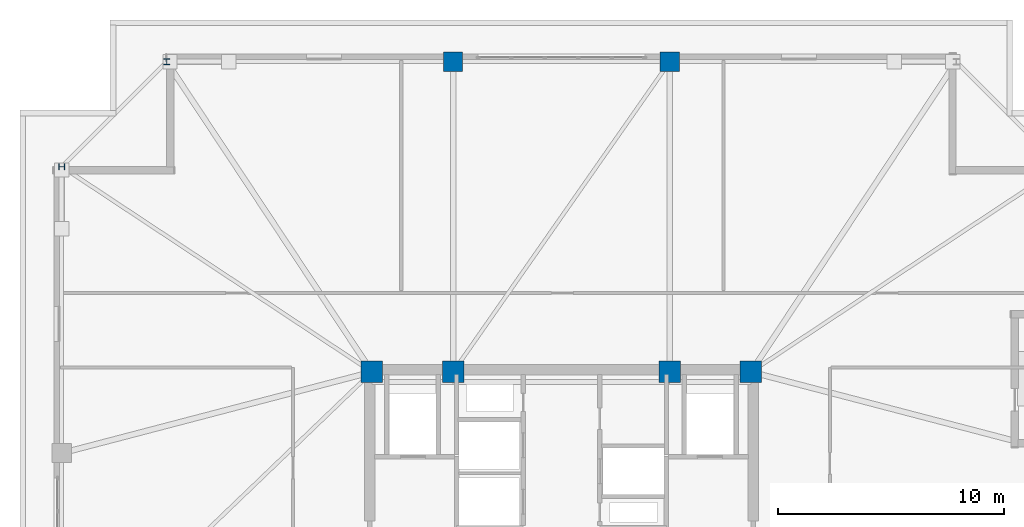
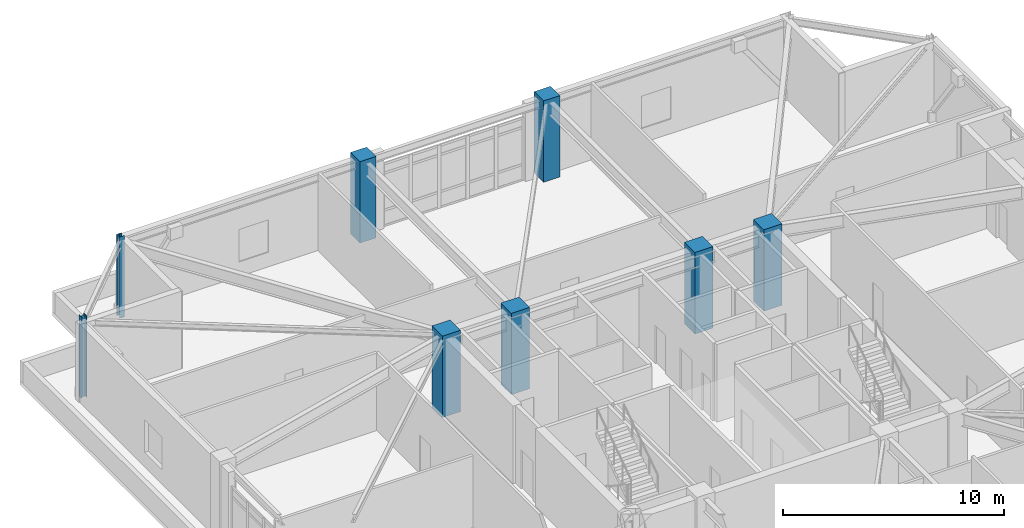
# One storey, part 4 of 18: 8 columns.
"""IFC4 building model written with IfcOpenShell, lengths in metres."""

from ifc_helpers import new_model, si_unit, direction, frame, origin, origin_2d, place, context, subcontext, project, spatial, rectangle, i_section, extrude, material, material_profile, profile_set, type_object, element, save


model = new_model("IFC4")

# Units and contexts
model_context = context("Model", 3, precision=1e-05, world=origin(), true_north=direction((0.0, 1.0)))
body_context = subcontext(model_context, "Body", "Model", "MODEL_VIEW")
ifc_project = project(units=[si_unit("LENGTHUNIT", "METRE"), si_unit("AREAUNIT", "SQUARE_METRE"), si_unit("VOLUMEUNIT", "CUBIC_METRE"), si_unit("PLANEANGLEUNIT", "RADIAN"), si_unit("MASSUNIT", "GRAM", prefix="KILO")], contexts=[model_context])

# Site, building, storey
site_placement = place(None, origin())
site = spatial("IfcSite", under=ifc_project, at=site_placement, CompositionType="ELEMENT")
building_placement = place(site_placement, origin())
building = spatial("IfcBuilding", under=site, at=building_placement, Name="Cairnveth Concourse Tower", CompositionType="ELEMENT")
storey_placement = place(building_placement, frame((0.0, 0.0, 198.0)))
storey = spatial("IfcBuildingStorey", under=building, at=storey_placement, Name="L54", CompositionType="ELEMENT", Elevation=198.0)

# Columns
ifc_material_1 = material(Name="Concrete N65 (65 MPa)", Category="concrete")
ifc_material_profile_1 = material_profile(ifc_material_1, rectangle(XDim=0.949951171875, YDim=0.949951171875, at=origin_2d()), Name="RC-COL-950x950")
ifc_profile_set_1 = profile_set([ifc_material_profile_1], Name="Concrete N65 (65 MPa)")
column_type_1 = type_object("IfcColumnType", Name="CORE COLUMN 950X950", PredefinedType="COLUMN", material=ifc_profile_set_1)
for number, where, z_axis, x_axis, name in (
    (1, (43.60009765625, 47.39990234375, 0.0), (0.0, 0.0, 1.0), (1.0, 0.0, 0.0), "Column CC5 L54"),
    (2, (47.199951171875, 47.39990234375, 0.0), (0.0, 0.0, 1.0), (1.0, 0.0, 0.0), "Column CC6 L54"),
    (3, (56.800048828125, 47.39990234375, 0.0), (0.0, 0.0, 1.0), (1.0, 0.0, 0.0), "Column CC7 L54"),
    (4, (60.39990234375, 47.39990234375, 0.0), (0.0, 0.0, 1.0), (1.0, 0.0, 0.0), "Column CC8 L54"),
):
    element("IfcColumn", number, at=place(storey_placement, frame(where, z_axis=z_axis, x_axis=x_axis)), inside=storey, type_object=column_type_1, Name=name, PredefinedType="COLUMN", context=body_context, shape_type="SweptSolid", body=[
        extrude(rectangle(XDim=0.949951171875, YDim=0.949951171875, at=origin_2d()), origin(), (0.0, 0.0, 1.0), 4.5),
    ])
ifc_material_profile_2 = material_profile(ifc_material_1, rectangle(XDim=0.85009765625, YDim=0.85009765625, at=origin_2d()), Name="RC-COL-850x850")
ifc_profile_set_2 = profile_set([ifc_material_profile_2], Name="Concrete N65 (65 MPa)")
column_type_2 = type_object("IfcColumnType", Name="PERIMETER PIER COLUMN 850X850", PredefinedType="COLUMN", material=ifc_profile_set_2)
for number, where, z_axis, x_axis, name in (
    (5, (56.800048828125, 61.14990234375, 0.0), (0.0, 0.0, 1.0), (1.0, 0.0, 0.0), "Column P-N2 L54"),
    (6, (47.199951171875, 61.14990234375, 0.0), (0.0, 0.0, 1.0), (1.0, 0.0, 0.0), "Column P-N3 L54"),
):
    element("IfcColumn", number, at=place(storey_placement, frame(where, z_axis=z_axis, x_axis=x_axis)), inside=storey, type_object=column_type_2, Name=name, PredefinedType="COLUMN", context=body_context, shape_type="SweptSolid", body=[
        extrude(rectangle(XDim=0.85009765625, YDim=0.85009765625, at=origin_2d()), origin(), (0.0, 0.0, 1.0), 4.5),
    ])
ifc_material_2 = material(Name="Steel Grade 350", Category="steel")
ifc_material_profile_3 = material_profile(ifc_material_2, i_section(OverallWidth=0.256103515625, OverallDepth=0.260009765625, WebThickness=0.010498046875, FlangeThickness=0.017333984375, FilletRadius=0.012939453125, at=origin_2d()), Name="250UC89.5")
ifc_profile_set_3 = profile_set([ifc_material_profile_3], Name="Steel Grade 350")
column_type_3 = type_object("IfcColumnType", Name="UNIVERSAL STEEL COLUMN 250UC89.5", PredefinedType="COLUMN", material=ifc_profile_set_3)
for number, where, z_axis, x_axis, name in (
    (7, (34.5, 61.14990234375, 0.0), (0.0, 0.0, 1.0), (1.0, 0.0, 0.0), "Column P-N4 L54"),
    (8, (29.85009765625, 56.5, 0.0), (0.0, 0.0, 1.0), (0.0, 1.0, 0.0), "Column P-W1 L54"),
):
    element("IfcColumn", number, at=place(storey_placement, frame(where, z_axis=z_axis, x_axis=x_axis)), inside=storey, type_object=column_type_3, Name=name, PredefinedType="COLUMN", context=body_context, shape_type="SweptSolid", body=[
        extrude(i_section(OverallWidth=0.256103515625, OverallDepth=0.260009765625, WebThickness=0.010498046875, FlangeThickness=0.017333984375, FilletRadius=0.012939453125, at=origin_2d()), origin(), (0.0, 0.0, 1.0), 4.5),
    ])

save(model, "model.ifc")
